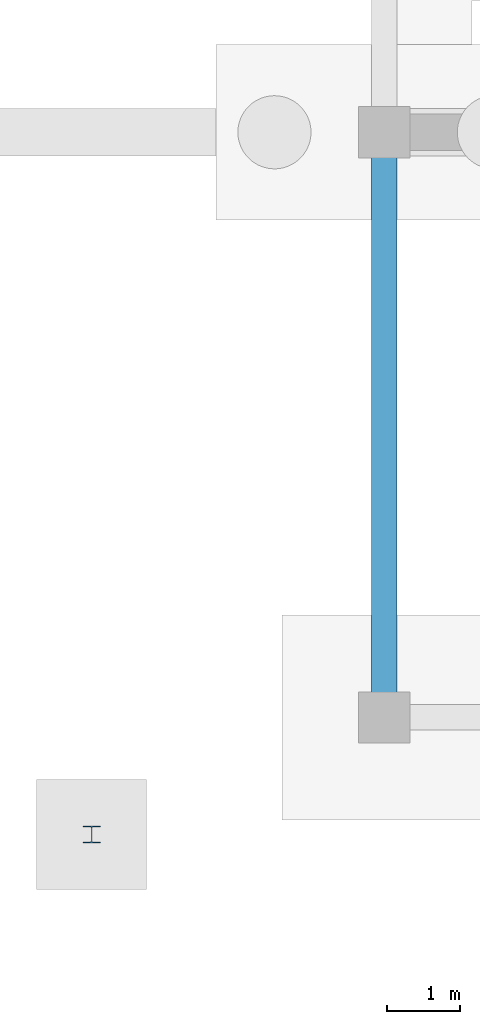
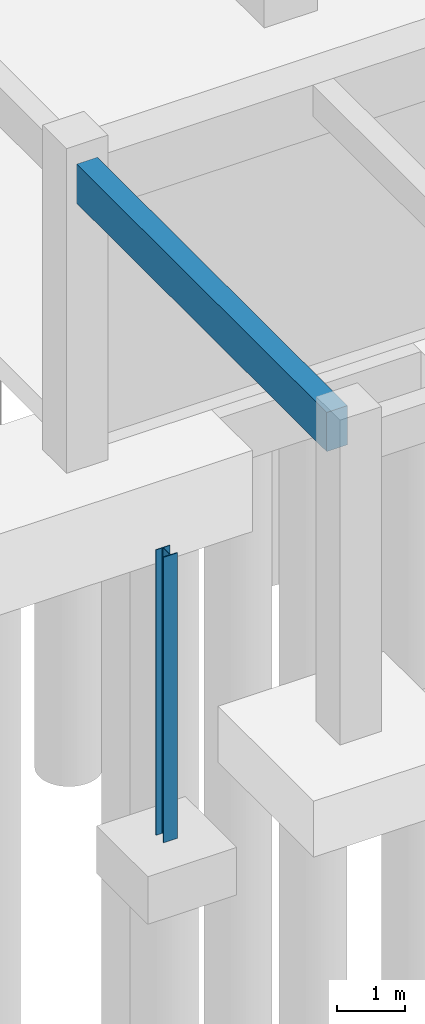
# One storey, part 12 of 45: 1 beam, 1 member.
"""IFC4 building model written with IfcOpenShell, lengths in metres."""

from ifc_helpers import new_model, si_unit, direction, frame, origin, origin_2d, place, context, subcontext, project, spatial, rectangle, i_section, extrude, material, material_profile, profile_set, type_object, element, save


model = new_model("IFC4")

# Units and contexts
model_context = context("Model", 3, precision=1e-05, world=origin(), true_north=direction((0.0, 1.0)))
body_context = subcontext(model_context, "Body", "Model", "MODEL_VIEW")
ifc_project = project(units=[si_unit("LENGTHUNIT", "METRE"), si_unit("AREAUNIT", "SQUARE_METRE"), si_unit("VOLUMEUNIT", "CUBIC_METRE"), si_unit("PLANEANGLEUNIT", "RADIAN"), si_unit("MASSUNIT", "GRAM", prefix="KILO")], contexts=[model_context])

# Site, building, storey
site_placement = place(None, origin())
site = spatial("IfcSite", under=ifc_project, at=site_placement, CompositionType="ELEMENT")
building_placement = place(site_placement, origin())
building = spatial("IfcBuilding", under=site, at=building_placement, Name="Kenh Van Central Station", CompositionType="ELEMENT")
storey_placement = place(building_placement, frame((0.0, 0.0, -5.39990234375)))
storey = spatial("IfcBuildingStorey", under=building, at=storey_placement, Name="B1", CompositionType="ELEMENT", Elevation=-5.39990234375)

# Member
ifc_material_1 = material(Name="Steel S355", Category="steel")
ifc_material_profile_1 = material_profile(ifc_material_1, i_section(OverallWidth=0.239990234375, OverallDepth=0.22998046875, WebThickness=0.007568359375, FlangeThickness=0.011962890625, FilletRadius=0.02099609375, at=origin_2d()), Name="HEA 240")
ifc_profile_set_1 = profile_set([ifc_material_profile_1], Name="Steel S355")
member_type = type_object("IfcMemberType", Name="MEM-ROOF-POST240", PredefinedType="POST", material=ifc_profile_set_1)
member_placement = place(storey_placement, frame((52.0, -1.60009765625, 0.0), z_axis=(0.0, 0.0, 1.0), x_axis=(1.0, 0.0, 0.0)))
element("IfcMember", 1, at=member_placement, inside=storey, type_object=member_type, Name="B1 forecourt apron support post 11", PredefinedType="POST", context=body_context, shape_type="SweptSolid", body=[
    extrude(i_section(OverallWidth=0.239990234375, OverallDepth=0.22998046875, WebThickness=0.007568359375, FlangeThickness=0.011962890625, FilletRadius=0.02099609375, at=origin_2d()), origin(), (0.0, 0.0, 1.0), 5.099853515625),
])

# Beam
ifc_material_2 = material(Name="Concrete C35/45", Category="concrete")
ifc_material_profile_2 = material_profile(ifc_material_2, rectangle(XDim=0.35009765625, YDim=0.699951171875, at=origin_2d()), Name="RC 350x700")
ifc_profile_set_2 = profile_set([ifc_material_profile_2], Name="Concrete C35/45")
beam_type = type_object("IfcBeamType", Name="SPD-RC-350x700", PredefinedType="SPANDREL", material=ifc_profile_set_2)
beam_placement = place(storey_placement, frame((56.0, 0.340087890625, 4.7099609375), z_axis=(0.0, 1.0, 0.0), x_axis=(-1.0, 0.0, 0.0)))
element("IfcBeam", 2, at=beam_placement, inside=storey, type_object=beam_type, Name="B1 beam 0190", PredefinedType="SPANDREL", context=body_context, shape_type="SweptSolid", body=[
    extrude(rectangle(XDim=0.35009765625, YDim=0.699951171875, at=origin_2d()), origin(), (0.0, 0.0, 1.0), 7.31982421875),
])

save(model, "model.ifc")
